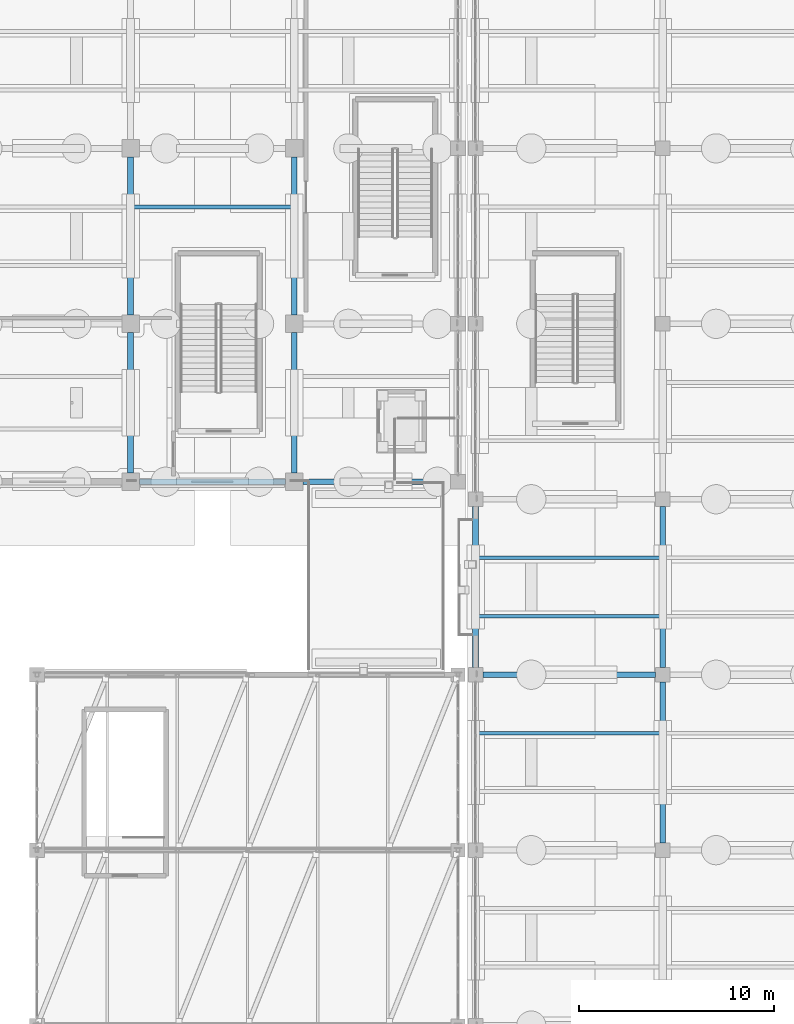
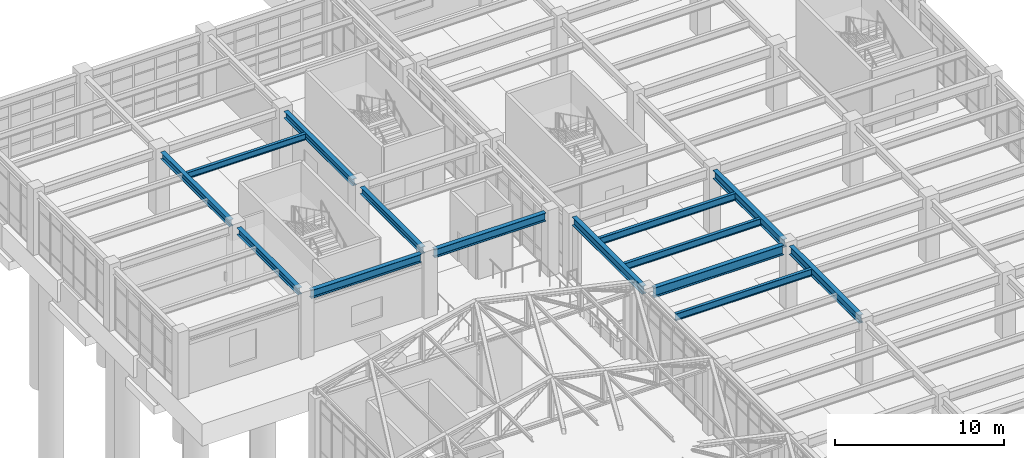
# One storey, part 65 of 139: 14 beams.
"""IFC4 building model written with IfcOpenShell, lengths in metres."""

import ifcopenshell
import ifcopenshell.guid

model = None  # the IFC model being written
_history = None  # IfcOwnerHistory: only IFC2X3 demands one
_inside = {}  # id of a spatial element -> (the spatial element, [elements in it])
_under = {}  # id of a project, library or spatial element -> (it, [spatial elements below it])
_declared = {}  # id of a project -> (the project, [libraries it declares])
_typed = {}  # id of a type object -> (the type object, [elements of that type])
_made_of = {}  # id of a material, layer set ... -> (it, [elements and type objects made of it])


def new_model(schema):
    """Start an empty IFC model of exactly this schema.

    Asked for "IFC4X3", IfcOpenShell would pick the latest addendum, in which some entities
    have other attributes; the version numbers below select the first issue.
    IFC2X3 requires an IfcOwnerHistory on every rooted entity: one is made here for all.
    """
    global model, _history
    if schema == "IFC4X3":
        model = ifcopenshell.file(schema_version=(4, 3, 0, 0))
    else:
        model = ifcopenshell.file(schema=schema)
    _inside.clear()
    _under.clear()
    _declared.clear()
    _typed.clear()
    _made_of.clear()
    _history = None
    if model.schema == "IFC2X3":
        org = make("IfcOrganization", Name="unknown")
        user = make(
            "IfcPersonAndOrganization",
            ThePerson=make("IfcPerson", FamilyName="unknown"),
            TheOrganization=org,
        )
        app = make(
            "IfcApplication",
            ApplicationDeveloper=org,
            Version="unknown",
            ApplicationFullName="unknown",
            ApplicationIdentifier="unknown",
        )
        _history = make(
            "IfcOwnerHistory",
            OwningUser=user,
            OwningApplication=app,
            ChangeAction="ADDED",
            CreationDate=0,
        )
    return model


def make(cls, **values):
    """One entity of the class cls with the attributes given. An attribute that is None is left unset."""
    return model.create_entity(
        cls, **{name: value for name, value in values.items() if value is not None}
    )


def rooted(cls, **values):
    """An entity with a GlobalId (a new one), such as an element, a storey or a relation."""
    return make(cls, GlobalId=ifcopenshell.guid.new(), OwnerHistory=_history, **values)


def si_unit(unit_type, name, prefix=None):
    """IfcSIUnit, for example si_unit("LENGTHUNIT", "METRE", prefix="MILLI")."""
    return make("IfcSIUnit", UnitType=unit_type, Prefix=prefix, Name=name)


def assignment(units):
    """IfcUnitAssignment: the units of a project."""
    return None if units is None else make("IfcUnitAssignment", Units=units)


def point(xyz):
    """IfcCartesianPoint."""
    return None if xyz is None else make("IfcCartesianPoint", Coordinates=xyz)


def direction(xyz):
    """IfcDirection."""
    return None if xyz is None else make("IfcDirection", DirectionRatios=xyz)


def frame(location, z_axis=None, x_axis=None):
    """IfcAxis2Placement3D, a coordinate frame: its origin and axes. An axis left out is left unset."""
    return make(
        "IfcAxis2Placement3D",
        Location=point(location),
        Axis=direction(z_axis),
        RefDirection=direction(x_axis),
    )


def frame_2d(location, x_axis=None):
    """IfcAxis2Placement2D, a coordinate frame in the plane: its origin and x axis."""
    return make(
        "IfcAxis2Placement2D", Location=point(location), RefDirection=direction(x_axis)
    )


def origin():
    """The frame at (0, 0, 0) with its axes left unset."""
    return frame((0.0, 0.0, 0.0))


def origin_2d():
    """The frame at (0, 0) in the plane with its x axis left unset."""
    return frame_2d((0.0, 0.0))


def place(relative_to, where):
    """IfcLocalPlacement: puts the frame where relative to a parent placement (None: the world)."""
    return make(
        "IfcLocalPlacement", PlacementRelTo=relative_to, RelativePlacement=where
    )


def context(
    kind, dimensions, precision=None, world=None, true_north=None, identifier=None
):
    """IfcGeometricRepresentationContext, for example the 3D "Model" context."""
    return make(
        "IfcGeometricRepresentationContext",
        ContextIdentifier=identifier,
        ContextType=kind,
        CoordinateSpaceDimension=dimensions,
        Precision=precision,
        WorldCoordinateSystem=world,
        TrueNorth=true_north,
    )


def subcontext(parent, identifier, kind, view, scale=None):
    """IfcGeometricRepresentationSubContext, for example "Body" below "Model"."""
    return make(
        "IfcGeometricRepresentationSubContext",
        ContextIdentifier=identifier,
        ContextType=kind,
        ParentContext=parent,
        TargetScale=scale,
        TargetView=view,
    )


def project(units=None, contexts=None):
    """IfcProject with its units and contexts."""
    return rooted(
        "IfcProject",
        Name="project",
        RepresentationContexts=contexts,
        UnitsInContext=assignment(units),
    )


def spatial(cls, under=None, at=None, **own):
    """A site, building, storey or space (cls), placed at a placement, below another one or the project."""
    s = rooted(cls, ObjectPlacement=at, **own)
    if under is not None:
        _under.setdefault(under.id(), (under, []))[1].append(s)
    return s


def profile(cls, at=None, kind="AREA", **sizes):
    """A parametric profile (cls). Its sizes go by their IFC names, for example OverallWidth=200.0."""
    return make(cls, ProfileType=kind, Position=at, **sizes)


def i_section(**sizes):
    """IfcIShapeProfileDef."""
    return profile("IfcIShapeProfileDef", **sizes)


def extrude(swept, where, along, depth):
    """IfcExtrudedAreaSolid: the profile swept, set in the frame where, extruded along a direction by depth."""
    return make(
        "IfcExtrudedAreaSolid",
        SweptArea=swept,
        Position=where,
        ExtrudedDirection=direction(along),
        Depth=depth,
    )


def shape(context_of_items, identifier, shape_type, items):
    """IfcShapeRepresentation: the items that make up one representation, for example the "Body"."""
    return make(
        "IfcShapeRepresentation",
        ContextOfItems=context_of_items,
        RepresentationIdentifier=identifier,
        RepresentationType=shape_type,
        Items=items,
    )


def material(Name=None, Category=None):
    """IfcMaterial."""
    return make("IfcMaterial", Name=Name, Category=Category)


def material_profile(
    of_material, cross_section, Name=None, Category=None, Priority=None
):
    """IfcMaterialProfile: a cross section and its material."""
    return make(
        "IfcMaterialProfile",
        Name=Name,
        Material=of_material,
        Profile=cross_section,
        Priority=Priority,
        Category=Category,
    )


def profile_set(profiles, Name=None, composite=None):
    """IfcMaterialProfileSet."""
    return make(
        "IfcMaterialProfileSet",
        Name=Name,
        MaterialProfiles=profiles,
        CompositeProfile=composite,
    )


def made_of(thing, what):
    """Note that an element or type object is made of a material, layer set ...; save() writes the relation."""
    if what is not None:
        _made_of.setdefault(what.id(), (what, []))[1].append(thing)
    return thing


def type_object(cls, material=None, **own):
    """A type object (cls), such as IfcWallType, which elements share."""
    return made_of(rooted(cls, **own), material)


def element(
    cls,
    number,
    at=None,
    inside=None,
    cuts=None,
    type_object=None,
    material=None,
    context=None,
    identifier="Body",
    shape_type=None,
    held_by="IfcProductDefinitionShape",
    body=None,
    shapes=None,
    **own,
):
    """One element of the class cls, such as IfcWall. Its Tag is "e" and its number.

    at: its placement. inside: the storey or other place that contains it. cuts: it is an
    opening in that element (IfcRelVoidsElement). A single representation is given by context,
    identifier, shape_type and body (its items); several are given by shapes. held_by: the class
    of the entity that holds the representations. save() writes the other relations.
    """
    e = rooted(cls, Tag="e%d" % number, ObjectPlacement=at, **own)
    if body is not None:
        shapes = [shape(context, identifier, shape_type, body)]
    if shapes is not None:
        e.Representation = make(held_by, Representations=shapes)
    if inside is not None:
        _inside.setdefault(inside.id(), (inside, []))[1].append(e)
    if cuts is not None:
        rooted(
            "IfcRelVoidsElement", RelatingBuildingElement=cuts, RelatedOpeningElement=e
        )
    if type_object is not None:
        _typed.setdefault(type_object.id(), (type_object, []))[1].append(e)
    return made_of(e, material)


def aggregate(whole, parts):
    """IfcRelAggregates: a whole, such as a stair, and the parts it consists of."""
    return rooted("IfcRelAggregates", RelatingObject=whole, RelatedObjects=parts)


def save(model, path):
    """Write the relations noted so far, then the file.

    IfcRelAggregates (storeys below a building ...), IfcRelContainedInSpatialStructure (elements
    in a storey), IfcRelDefinesByType, IfcRelAssociatesMaterial and IfcRelDeclares: one each for
    every whole, place, type object, material and project.
    """
    for whole, parts in _under.values():
        aggregate(whole, parts)
    for where, things in _inside.values():
        rooted(
            "IfcRelContainedInSpatialStructure",
            RelatedElements=things,
            RelatingStructure=where,
        )
    for kind, things in _typed.values():
        rooted("IfcRelDefinesByType", RelatedObjects=things, RelatingType=kind)
    for what, things in _made_of.values():
        rooted("IfcRelAssociatesMaterial", RelatedObjects=things, RelatingMaterial=what)
    for by, libraries in _declared.values():
        rooted("IfcRelDeclares", RelatingContext=by, RelatedDefinitions=libraries)
    model.write(path)


model = new_model("IFC4")

# Units and contexts
model_context = context("Model", 3, precision=1e-05, world=origin(), true_north=direction((0.0, 1.0)))
body_context = subcontext(model_context, "Body", "Model", "MODEL_VIEW")
ifc_project = project(units=[si_unit("LENGTHUNIT", "METRE"), si_unit("AREAUNIT", "SQUARE_METRE"), si_unit("VOLUMEUNIT", "CUBIC_METRE"), si_unit("PLANEANGLEUNIT", "RADIAN"), si_unit("MASSUNIT", "GRAM", prefix="KILO")], contexts=[model_context])

# Site, building, storey
site_placement = place(None, origin())
site = spatial("IfcSite", under=ifc_project, at=site_placement, CompositionType="ELEMENT")
building_placement = place(site_placement, origin())
building = spatial("IfcBuilding", under=site, at=building_placement, Name="Canglan Escarpment Cableway Terminal", CompositionType="ELEMENT")
storey_placement = place(building_placement, frame((0.0, 0.0, 14.39990234375)))
storey = spatial("IfcBuildingStorey", under=building, at=storey_placement, Name="L03", CompositionType="ELEMENT", Elevation=14.39990234375)

# Beams
ifc_material_1 = material(Name="Steel Q355B", Category="steel")
ifc_material_profile_1 = material_profile(ifc_material_1, i_section(OverallWidth=0.300048828125, OverallDepth=0.488037109375, WebThickness=0.010986328125, FlangeThickness=0.01806640625, FilletRadius=0.02587890625, at=origin_2d()), Name="HM 488x300x11x18")
ifc_profile_set_1 = profile_set([ifc_material_profile_1], Name="Steel Q355B")
beam_type_1 = type_object("IfcBeamType", Name="BM-HM488", PredefinedType="BEAM", material=ifc_profile_set_1)
beam_1_placement = place(storey_placement, frame((119.89990234375, 89.35009765625, 4.256103515625), z_axis=(0.0, 1.0, 0.0), x_axis=(-1.0, 0.0, 0.0)))
element("IfcBeam", 1, at=beam_1_placement, inside=storey, type_object=beam_type_1, Name="Primary transverse girder B-09", PredefinedType="BEAM", context=body_context, shape_type="SweptSolid", body=[
    extrude(i_section(OverallWidth=0.300048828125, OverallDepth=0.488037109375, WebThickness=0.010986328125, FlangeThickness=0.01806640625, FilletRadius=0.02587890625, at=origin_2d()), origin(), (0.0, 0.0, 1.0), 7.199951171875),
])
beam_2_placement = place(storey_placement, frame((119.89990234375, 97.449951171875, 4.256103515625), z_axis=(0.0, 1.0, 0.0), x_axis=(-1.0, 0.0, 0.0)))
element("IfcBeam", 2, at=beam_2_placement, inside=storey, type_object=beam_type_1, Name="Primary transverse girder B-09", PredefinedType="BEAM", context=body_context, shape_type="SweptSolid", body=[
    extrude(i_section(OverallWidth=0.300048828125, OverallDepth=0.488037109375, WebThickness=0.010986328125, FlangeThickness=0.01806640625, FilletRadius=0.02587890625, at=origin_2d()), origin(), (0.0, 0.0, 1.0), 8.10009765625),
])
beam_3_placement = place(storey_placement, frame((128.300048828125, 89.35009765625, 4.256103515625), z_axis=(0.0, 1.0, 0.0), x_axis=(-1.0, 0.0, 0.0)))
element("IfcBeam", 3, at=beam_3_placement, inside=storey, type_object=beam_type_1, Name="Primary transverse girder B-09", PredefinedType="BEAM", context=body_context, shape_type="SweptSolid", body=[
    extrude(i_section(OverallWidth=0.300048828125, OverallDepth=0.488037109375, WebThickness=0.010986328125, FlangeThickness=0.01806640625, FilletRadius=0.02587890625, at=origin_2d()), origin(), (0.0, 0.0, 1.0), 7.199951171875),
])
beam_4_placement = place(storey_placement, frame((128.300048828125, 97.449951171875, 4.256103515625), z_axis=(0.0, 1.0, 0.0), x_axis=(-1.0, 0.0, 0.0)))
element("IfcBeam", 4, at=beam_4_placement, inside=storey, type_object=beam_type_1, Name="Primary transverse girder B-09", PredefinedType="BEAM", context=body_context, shape_type="SweptSolid", body=[
    extrude(i_section(OverallWidth=0.300048828125, OverallDepth=0.488037109375, WebThickness=0.010986328125, FlangeThickness=0.01806640625, FilletRadius=0.02587890625, at=origin_2d()), origin(), (0.0, 0.0, 1.0), 8.10009765625),
])
ifc_material_2 = material(Name="Steel Q355C", Category="steel")
ifc_material_profile_2 = material_profile(ifc_material_2, i_section(OverallWidth=0.302001953125, OverallDepth=0.593994140625, WebThickness=0.013916015625, FlangeThickness=0.02294921875, FilletRadius=0.028076171875, at=origin_2d()), Name="HM 594x302x14x23")
ifc_profile_set_2 = profile_set([ifc_material_profile_2], Name="Steel Q355C")
beam_type_2 = type_object("IfcBeamType", Name="BM-HM594", PredefinedType="BEAM", material=ifc_profile_set_2)
beam_5_placement = place(storey_placement, frame((120.35009765625, 88.89990234375, 4.203125), z_axis=(1.0, 0.0, 0.0), x_axis=(0.0, 1.0, 0.0)))
element("IfcBeam", 5, at=beam_5_placement, inside=storey, type_object=beam_type_2, Name="Primary structural girder B-07", PredefinedType="BEAM", context=body_context, shape_type="SweptSolid", body=[
    extrude(i_section(OverallWidth=0.302001953125, OverallDepth=0.593994140625, WebThickness=0.013916015625, FlangeThickness=0.02294921875, FilletRadius=0.028076171875, at=origin_2d()), origin(), (0.0, 0.0, 1.0), 7.5),
])
beam_6_placement = place(storey_placement, frame((128.75, 88.89990234375, 4.203125), z_axis=(1.0, 0.0, 0.0), x_axis=(0.0, 1.0, 0.0)))
element("IfcBeam", 6, at=beam_6_placement, inside=storey, type_object=beam_type_2, Name="Primary structural girder B-07", PredefinedType="BEAM", context=body_context, shape_type="SweptSolid", body=[
    extrude(i_section(OverallWidth=0.302001953125, OverallDepth=0.593994140625, WebThickness=0.013916015625, FlangeThickness=0.02294921875, FilletRadius=0.028076171875, at=origin_2d()), origin(), (0.0, 0.0, 1.0), 7.574951171875),
])
for number, where, z_axis, x_axis, name in (
    (7, (137.60009765625, 79.375, 4.203125), (0.0, 1.0, 0.0), (-1.0, 0.0, 0.0), "Primary transverse girder B-07"),
    (8, (147.199951171875, 70.375, 4.203125), (0.0, 1.0, 0.0), (-1.0, 0.0, 0.0), "Primary transverse girder B-07"),
    (9, (147.199951171875, 79.375, 4.203125), (0.0, 1.0, 0.0), (-1.0, 0.0, 0.0), "Primary transverse girder B-07"),
):
    element("IfcBeam", number, at=place(storey_placement, frame(where, z_axis=z_axis, x_axis=x_axis)), inside=storey, type_object=beam_type_2, Name=name, PredefinedType="BEAM", context=body_context, shape_type="SweptSolid", body=[
        extrude(i_section(OverallWidth=0.302001953125, OverallDepth=0.593994140625, WebThickness=0.013916015625, FlangeThickness=0.02294921875, FilletRadius=0.028076171875, at=origin_2d()), origin(), (0.0, 0.0, 1.0), 8.25),
    ])
ifc_material_profile_3 = material_profile(ifc_material_2, i_section(OverallWidth=0.300048828125, OverallDepth=0.699951171875, WebThickness=0.012939453125, FlangeThickness=0.02392578125, FilletRadius=0.028076171875, at=origin_2d()), Name="HN 700x300x13x24")
ifc_profile_set_3 = profile_set([ifc_material_profile_3], Name="Steel Q355C")
beam_type_3 = type_object("IfcBeamType", Name="BM-HN700", PredefinedType="BEAM", material=ifc_profile_set_3)
beam_7_placement = place(storey_placement, frame((137.97509765625, 79.0, 4.150146484375), z_axis=(1.0, 0.0, 0.0), x_axis=(0.0, 1.0, 0.0)))
element("IfcBeam", 10, at=beam_7_placement, inside=storey, type_object=beam_type_3, Name="Primary structural girder B-06", PredefinedType="BEAM", context=body_context, shape_type="SweptSolid", body=[
    extrude(i_section(OverallWidth=0.300048828125, OverallDepth=0.699951171875, WebThickness=0.012939453125, FlangeThickness=0.02392578125, FilletRadius=0.028076171875, at=origin_2d()), origin(), (0.0, 0.0, 1.0), 8.849853515625),
])
ifc_material_profile_4 = material_profile(ifc_material_1, i_section(OverallWidth=0.199951171875, OverallDepth=0.449951171875, WebThickness=0.009033203125, FlangeThickness=0.013916015625, FilletRadius=0.01806640625, at=origin_2d()), Name="HN 450x200x9x14")
ifc_profile_set_4 = profile_set([ifc_material_profile_4], Name="Steel Q355B")
beam_type_4 = type_object("IfcBeamType", Name="JS-HN450", PredefinedType="JOIST", material=ifc_profile_set_4)
beam_8_placement = place(storey_placement, frame((120.050048828125, 103.0, 4.275146484375), z_axis=(1.0, 0.0, 0.0), x_axis=(0.0, 1.0, 0.0)))
element("IfcBeam", 11, at=beam_8_placement, inside=storey, type_object=beam_type_4, Name="Secondary composite deck joist J-02", PredefinedType="JOIST", context=body_context, shape_type="SweptSolid", body=[
    extrude(i_section(OverallWidth=0.199951171875, OverallDepth=0.449951171875, WebThickness=0.009033203125, FlangeThickness=0.013916015625, FilletRadius=0.01806640625, at=origin_2d()), origin(), (0.0, 0.0, 1.0), 8.099853515625),
])
ifc_material_profile_5 = material_profile(ifc_material_1, i_section(OverallWidth=0.199951171875, OverallDepth=0.5, WebThickness=0.010009765625, FlangeThickness=0.01611328125, FilletRadius=0.02001953125, at=origin_2d()), Name="HN 500x200x10x16")
ifc_profile_set_5 = profile_set([ifc_material_profile_5], Name="Steel Q355B")
beam_type_5 = type_object("IfcBeamType", Name="JS-HN500", PredefinedType="JOIST", material=ifc_profile_set_5)
for number, where, z_axis, x_axis, name in (
    (12, (137.7509765625, 76.0, 4.25), (1.0, 0.0, 0.0), (0.0, 1.0, 0.0), "Secondary composite deck joist J-01"),
    (13, (137.7509765625, 82.0, 4.25), (1.0, 0.0, 0.0), (0.0, 1.0, 0.0), "Secondary composite deck joist J-01"),
    (14, (137.7509765625, 85.0, 4.25), (1.0, 0.0, 0.0), (0.0, 1.0, 0.0), "Secondary composite deck joist J-01"),
):
    element("IfcBeam", number, at=place(storey_placement, frame(where, z_axis=z_axis, x_axis=x_axis)), inside=storey, type_object=beam_type_5, Name=name, PredefinedType="JOIST", context=body_context, shape_type="SweptSolid", body=[
        extrude(i_section(OverallWidth=0.199951171875, OverallDepth=0.5, WebThickness=0.010009765625, FlangeThickness=0.01611328125, FilletRadius=0.02001953125, at=origin_2d()), origin(), (0.0, 0.0, 1.0), 9.298095703125),
    ])

save(model, "model.ifc")
